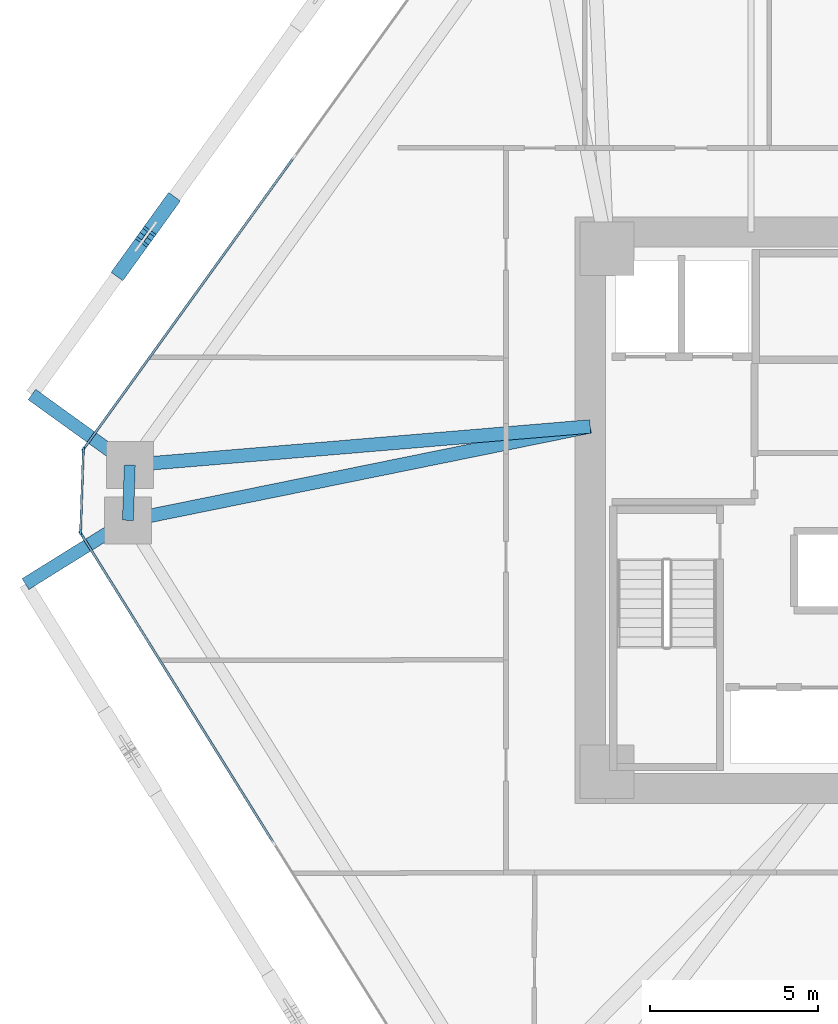
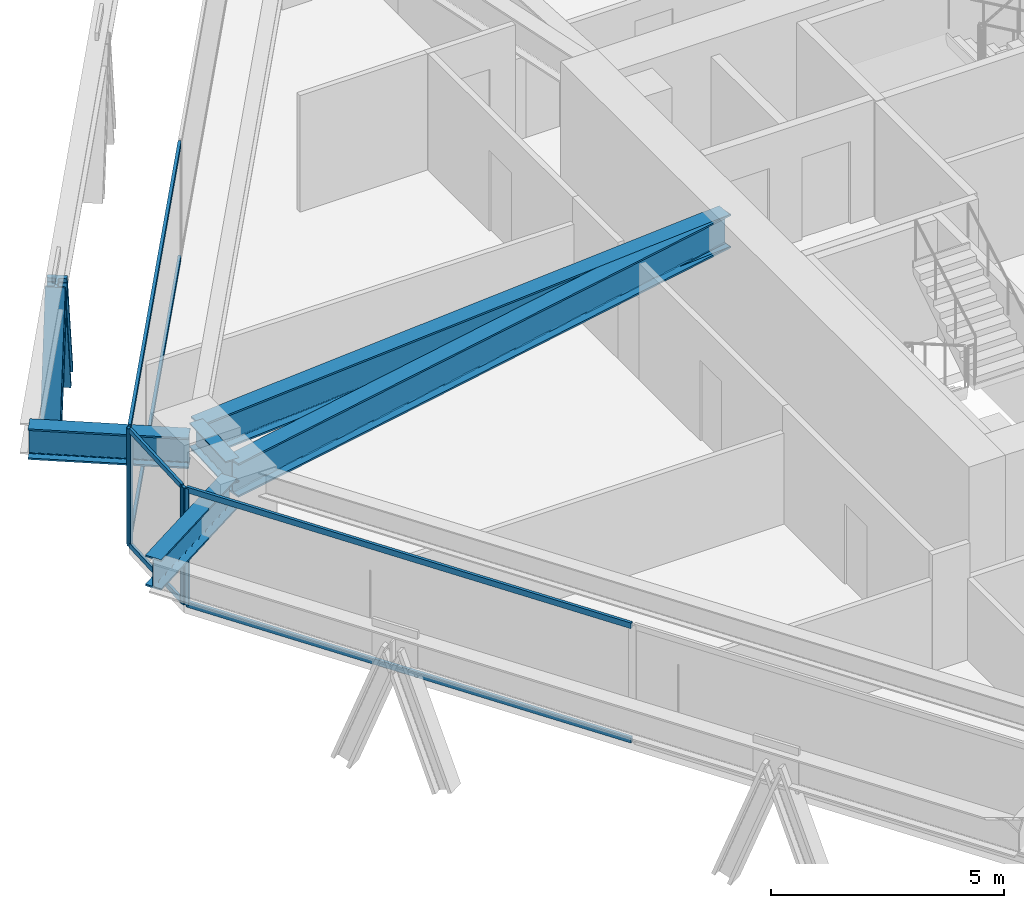
# One storey, part 4 of 17: 12 members, 5 beams, 3 elements without a shape of their own.
"""IFC4 building model written with IfcOpenShell, lengths in metres."""

from ifc_helpers import new_model, si_unit, direction, frame, origin, origin_2d, place, context, subcontext, project, spatial, rectangle, i_section, extrude, source, transform, mapped, material, layer, layer_set, material_profile, profile_set, type_object, type_shapes, element, aggregate, save


model = new_model("IFC4")

# Units and contexts
model_context = context("Model", 3, precision=1e-05, world=origin(), true_north=direction((0.0, 1.0)))
body_context = subcontext(model_context, "Body", "Model", "MODEL_VIEW")
ifc_project = project(units=[si_unit("LENGTHUNIT", "METRE"), si_unit("AREAUNIT", "SQUARE_METRE"), si_unit("VOLUMEUNIT", "CUBIC_METRE"), si_unit("PLANEANGLEUNIT", "RADIAN"), si_unit("MASSUNIT", "GRAM", prefix="KILO")], contexts=[model_context])

# Site, building, storey
site_placement = place(None, origin())
site = spatial("IfcSite", under=ifc_project, at=site_placement, CompositionType="ELEMENT")
building_placement = place(site_placement, origin())
building = spatial("IfcBuilding", under=site, at=building_placement, Name="Durnholm Broadcast Tower", CompositionType="ELEMENT")
storey_placement = place(building_placement, frame((0.0, 0.0, 72.0)))
storey = spatial("IfcBuildingStorey", under=building, at=storey_placement, Name="L18", CompositionType="ELEMENT", Elevation=72.0)

# Beams
ifc_material_1 = material(Name="Steel ASTM A992 Grade 50", Category="steel")
ifc_material_profile_1 = material_profile(ifc_material_1, i_section(OverallWidth=0.3291015625, OverallDepth=0.635009765625, WebThickness=0.017822265625, FlangeThickness=0.031005859375, FilletRadius=0.02783203125, at=origin_2d()), Name="W24X162")
ifc_profile_set_1 = profile_set([ifc_material_profile_1], Name="Steel ASTM A992 Grade 50")
beam_type_1 = type_object("IfcBeamType", Name="STL-SP-W24X162", PredefinedType="SPANDREL", material=ifc_profile_set_1)
shared_shape_1 = source(origin(), body_context, "Body", "SweptSolid", [
    extrude(i_section(OverallWidth=0.3291015625, OverallDepth=0.635009765625, WebThickness=0.017822265625, FlangeThickness=0.031005859375, FilletRadius=0.02783203125, at=origin_2d()), origin(), (0.0, 0.0, 1.0), 1.648193359375),
])
type_shapes(beam_type_1, [shared_shape_1])
beam_1_placement = place(storey_placement, frame((-24.0908203125, -0.2998046875, 2.7275390625), z_axis=(0.033921477804, 0.999424501072, 0.0), x_axis=(-0.999424501072, 0.033921477804, 0.0)))
element("IfcBeam", 1, at=beam_1_placement, inside=storey, type_object=beam_type_1, Name="L18 perimeter spandrel girder 02", PredefinedType="SPANDREL", context=body_context, shape_type="MappedRepresentation", body=[
    mapped(shared_shape_1, transform((0.0, 0.0, 0.0), x_axis=(1.0, 0.0, 0.0), y_axis=(0.0, 1.0, 0.0), z_axis=(0.0, 0.0, 1.0), scale=1.0)),
])
ifc_material_profile_2 = material_profile(ifc_material_1, i_section(OverallWidth=0.404052734375, OverallDepth=0.885009765625, WebThickness=0.0244140625, FlangeThickness=0.0439453125, FilletRadius=0.03564453125, at=origin_2d()), Name="W33X291")
ifc_profile_set_2 = profile_set([ifc_material_profile_2], Name="Steel ASTM A992 Grade 50")
beam_type_2 = type_object("IfcBeamType", Name="STL-GR-W33X291", PredefinedType="USERDEFINED", material=ifc_profile_set_2)
shared_shape_2 = source(origin(), body_context, "Body", "SweptSolid", [
    extrude(i_section(OverallWidth=0.404052734375, OverallDepth=0.885009765625, WebThickness=0.0244140625, FlangeThickness=0.0439453125, FilletRadius=0.03564453125, at=origin_2d()), origin(), (0.0, 0.0, 1.0), 14.072021484375),
])
beam_2_placement = place(storey_placement, frame((-10.300048828125, 2.5, 2.6025390625), z_axis=(-0.980007356767, -0.198961254225, 0.0), x_axis=(0.198961254225, -0.980007356767, 0.0)))
element("IfcBeam", 2, at=beam_2_placement, inside=storey, type_object=beam_type_2, Name="L18 radial primary floor girder 02", ObjectType="GIRDER", PredefinedType="USERDEFINED", context=body_context, shape_type="MappedRepresentation", body=[
    mapped(shared_shape_2, transform((0.0, 0.0, 0.0), x_axis=(1.0, 0.0, 0.0), y_axis=(0.0, 1.0, 0.0), z_axis=(0.0, 0.0, 1.0), scale=1.0)),
])
shared_shape_3 = source(origin(), body_context, "Body", "SweptSolid", [
    extrude(i_section(OverallWidth=0.404052734375, OverallDepth=0.885009765625, WebThickness=0.0244140625, FlangeThickness=0.0439453125, FilletRadius=0.03564453125, at=origin_2d()), origin(), (0.0, 0.0, 1.0), 13.783203125),
])
type_shapes(beam_type_2, [shared_shape_2, shared_shape_3])
beam_3_placement = place(storey_placement, frame((-10.300048828125, 2.5, 2.6025390625), z_axis=(-0.996497460403, -0.083623031579, 0.0), x_axis=(0.083623031579, -0.996497460403, 0.0)))
element("IfcBeam", 3, at=beam_3_placement, inside=storey, type_object=beam_type_2, Name="L18 radial primary floor girder 03", ObjectType="GIRDER", PredefinedType="USERDEFINED", context=body_context, shape_type="MappedRepresentation", body=[
    mapped(shared_shape_3, transform((0.0, 0.0, 0.0), x_axis=(1.0, 0.0, 0.0), y_axis=(0.0, 1.0, 0.0), z_axis=(0.0, 0.0, 1.0), scale=1.0)),
])
ifc_material_profile_3 = material_profile(ifc_material_1, i_section(OverallWidth=0.385009765625, OverallDepth=0.802978515625, WebThickness=0.023681640625, FlangeThickness=0.0419921875, FilletRadius=0.032958984375, at=origin_2d()), Name="W30X261")
ifc_profile_set_3 = profile_set([ifc_material_profile_3], Name="Steel ASTM A992 Grade 50")
beam_type_3 = type_object("IfcBeamType", Name="BM-EXO-TIE", PredefinedType="USERDEFINED", material=ifc_profile_set_3)
shared_shape_4 = source(origin(), body_context, "Body", "SweptSolid", [
    extrude(i_section(OverallWidth=0.385009765625, OverallDepth=0.802978515625, WebThickness=0.023681640625, FlangeThickness=0.0419921875, FilletRadius=0.032958984375, at=origin_2d()), origin(), (0.0, 0.0, 1.0), 3.4560546875),
])
beam_4_placement = place(storey_placement, frame((-24.212890625, -0.375732421875, 2.30859375), z_axis=(-0.848874183218, -0.528594949906, 0.0), x_axis=(0.528594949906, -0.848874183218, 0.0)))
element("IfcBeam", 4, at=beam_4_placement, inside=storey, type_object=beam_type_3, Name="L18 exoskeleton stand-off tie bracket F6.1", ObjectType="GIRDER", PredefinedType="USERDEFINED", context=body_context, shape_type="MappedRepresentation", body=[
    mapped(shared_shape_4, transform((0.0, 0.0, 0.0), x_axis=(1.0, 0.0, 0.0), y_axis=(0.0, 1.0, 0.0), z_axis=(0.0, 0.0, 1.0), scale=1.0)),
])
shared_shape_5 = source(origin(), body_context, "Body", "SweptSolid", [
    extrude(i_section(OverallWidth=0.385009765625, OverallDepth=0.802978515625, WebThickness=0.023681640625, FlangeThickness=0.0419921875, FilletRadius=0.032958984375, at=origin_2d()), origin(), (0.0, 0.0, 1.0), 3.455810546875),
])
type_shapes(beam_type_3, [shared_shape_4, shared_shape_5])
beam_5_placement = place(storey_placement, frame((-24.15185546875, 1.431396484375, 2.30859375), z_axis=(-0.811133512552, 0.584861030344, 0.0), x_axis=(-0.584861030344, -0.811133512552, 0.0)))
element("IfcBeam", 5, at=beam_5_placement, inside=storey, type_object=beam_type_3, Name="L18 exoskeleton stand-off tie bracket F5.2", ObjectType="GIRDER", PredefinedType="USERDEFINED", context=body_context, shape_type="MappedRepresentation", body=[
    mapped(shared_shape_5, transform((0.0, 0.0, 0.0), x_axis=(1.0, 0.0, 0.0), y_axis=(0.0, 1.0, 0.0), z_axis=(0.0, 0.0, 1.0), scale=1.0)),
])

# Members
ifc_material_2 = material(Name="Steel ASTM A913 Grade 65", Category="steel")
ifc_material_profile_4 = material_profile(ifc_material_2, i_section(OverallWidth=0.43212890625, OverallDepth=0.497802734375, WebThickness=0.0556640625, FlangeThickness=0.0888671875, FilletRadius=0.030517578125, at=origin_2d()), Name="W14X500")
ifc_profile_set_4 = profile_set([ifc_material_profile_4], Name="Steel ASTM A913 Grade 65")
member_type_1 = type_object("IfcMemberType", Name="STL-DG-W14X500", PredefinedType="BRACE", material=ifc_profile_set_4)
shared_shape_6 = source(origin(), body_context, "Body", "SweptSolid", [
    extrude(i_section(OverallWidth=0.43212890625, OverallDepth=0.497802734375, WebThickness=0.0556640625, FlangeThickness=0.0888671875, FilletRadius=0.030517578125, at=origin_2d()), origin(), (0.0, 0.0, 1.0), 3.523193359375),
])
type_shapes(member_type_1, [shared_shape_6])
for number, where, z_axis, x_axis, name in (
    (6, (-22.837890625, 9.163330078125, -0.991455078125), (-0.204839138341, -0.284044529113, 0.93667477434), (0.81109123444, -0.58491966065, 0.0), "L18 stand-off diagrid brace F5.D2.1"),
    (7, (-24.281005859375, 7.161865234375, -0.991455078125), (0.20477274847, 0.284048560399, 0.936688068046), (-0.811185111535, 0.584789461963, 0.0), "L18 stand-off diagrid brace F5.D2.2"),
):
    element("IfcMember", number, at=place(storey_placement, frame(where, z_axis=z_axis, x_axis=x_axis)), inside=storey, type_object=member_type_1, Name=name, PredefinedType="BRACE", context=body_context, shape_type="MappedRepresentation", body=[
        mapped(shared_shape_6, transform((0.0, 0.0, 0.0), x_axis=(1.0, 0.0, 0.0), y_axis=(0.0, 1.0, 0.0), z_axis=(0.0, 0.0, 1.0), scale=1.0)),
    ])

# Curtain wall, members
ifc_material_3 = material(Name="Aluminium and Solar Control IGU", Category="aluminium")
ifc_layer_1 = layer(ifc_material_3, 0.1650390625)
ifc_layer_set_1 = layer_set([ifc_layer_1], Name="Aluminium and Solar Control IGU")
curtain_wall_type_1 = type_object("IfcCurtainWallType", Name="CW-SYS-5", PredefinedType="NOTDEFINED", material=ifc_layer_set_1)
curtain_wall_1_placement = place(storey_placement, origin())
curtain_wall_1 = element("IfcCurtainWall", 8, at=curtain_wall_1_placement, inside=storey, type_object=curtain_wall_type_1, Name="L18 curtain wall CW-CORNER CW-L18-CRN-01", PredefinedType="NOTDEFINED")
ifc_material_4 = material(Name="Aluminium 6063-T6", Category="aluminium")
ifc_material_profile_5 = material_profile(ifc_material_4, rectangle(XDim=0.06494140625, YDim=0.1650390625, at=origin_2d()), Name="CWM65X165")
ifc_profile_set_5 = profile_set([ifc_material_profile_5], Name="Aluminium 6063-T6")
member_type_2 = type_object("IfcMemberType", Name="CW-SYS-5-MUL", PredefinedType="MULLION", material=ifc_profile_set_5)
shared_shape_7 = source(origin(), body_context, "Body", "SweptSolid", [
    extrude(rectangle(XDim=0.06494140625, YDim=0.1650390625, at=origin_2d()), origin(), (0.0, 0.0, 1.0), 3.06005859375),
])
type_shapes(member_type_2, [shared_shape_7])
member_1_placement = place(storey_placement, frame((-25.50341796875, -0.6455078125, 0.0), z_axis=(0.0, 0.0, 1.0), x_axis=(-0.999427277772, 0.033839569233, 0.0)))
member_1 = element("IfcMember", 9, at=member_1_placement, type_object=member_type_2, Name="CW-CORNER mullion 1", PredefinedType="MULLION", context=body_context, shape_type="MappedRepresentation", body=[
    mapped(shared_shape_7, transform((0.0, 0.0, 0.0), x_axis=(1.0, 0.0, 0.0), y_axis=(0.0, 1.0, 0.0), z_axis=(0.0, 0.0, 1.0), scale=1.0)),
])
member_2_placement = place(storey_placement, frame((-25.4208984375, 1.7880859375, 0.0), z_axis=(0.0, 0.0, 1.0), x_axis=(-0.999427277772, 0.033839569233, 0.0)))
member_2 = element("IfcMember", 10, at=member_2_placement, type_object=member_type_2, Name="CW-CORNER mullion 2", PredefinedType="MULLION", context=body_context, shape_type="MappedRepresentation", body=[
    mapped(shared_shape_7, transform((0.0, 0.0, 0.0), x_axis=(1.0, 0.0, 0.0), y_axis=(0.0, 1.0, 0.0), z_axis=(0.0, 0.0, 1.0), scale=1.0)),
])
ifc_material_profile_6 = material_profile(ifc_material_4, rectangle(XDim=0.06494140625, YDim=0.1298828125, at=origin_2d()), Name="CWT65X130")
ifc_profile_set_6 = profile_set([ifc_material_profile_6], Name="Aluminium 6063-T6")
member_type_3 = type_object("IfcMemberType", Name="CW-SYS-5-TRN", PredefinedType="USERDEFINED", material=ifc_profile_set_6)
shared_shape_8 = source(origin(), body_context, "Body", "SweptSolid", [
    extrude(rectangle(XDim=0.06494140625, YDim=0.1298828125, at=origin_2d()), origin(), (0.0, 0.0, 1.0), 2.3701171875),
])
type_shapes(member_type_3, [shared_shape_8])
member_3_placement = place(storey_placement, frame((-25.502197265625, -0.613037109375, 0.032470703125), z_axis=(0.033788158898, 0.999429017148, 0.0), x_axis=(-0.999429017148, 0.033788158898, 0.0)))
member_3 = element("IfcMember", 11, at=member_3_placement, type_object=member_type_3, Name="CW-CORNER transom 1.1", ObjectType="TRANSOM", PredefinedType="USERDEFINED", context=body_context, shape_type="MappedRepresentation", body=[
    mapped(shared_shape_8, transform((0.0, 0.0, 0.0), x_axis=(1.0, 0.0, 0.0), y_axis=(0.0, 1.0, 0.0), z_axis=(0.0, 0.0, 1.0), scale=1.0)),
])
member_4_placement = place(storey_placement, frame((-25.502197265625, -0.613037109375, 3.027587890625), z_axis=(0.033788158898, 0.999429017148, 0.0), x_axis=(-0.999429017148, 0.033788158898, 0.0)))
member_4 = element("IfcMember", 12, at=member_4_placement, type_object=member_type_3, Name="CW-CORNER transom 1.2", ObjectType="TRANSOM", PredefinedType="USERDEFINED", context=body_context, shape_type="MappedRepresentation", body=[
    mapped(shared_shape_8, transform((0.0, 0.0, 0.0), x_axis=(1.0, 0.0, 0.0), y_axis=(0.0, 1.0, 0.0), z_axis=(0.0, 0.0, 1.0), scale=1.0)),
])
aggregate(curtain_wall_1, [member_1, member_2, member_3, member_4])

# Curtain wall, member
ifc_layer_2 = layer(ifc_material_3, 0.18994140625)
ifc_layer_set_2 = layer_set([ifc_layer_2], Name="Aluminium and Solar Control IGU")
curtain_wall_type_2 = type_object("IfcCurtainWallType", Name="CW-SYS-3", PredefinedType="NOTDEFINED", material=ifc_layer_set_2)
curtain_wall_2_placement = place(storey_placement, origin())
curtain_wall_2 = element("IfcCurtainWall", 13, at=curtain_wall_2_placement, inside=storey, type_object=curtain_wall_type_2, Name="L18 curtain wall CW-Z12-VIS CW-L18-F02", PredefinedType="NOTDEFINED")
ifc_material_profile_7 = material_profile(ifc_material_4, rectangle(XDim=0.070068359375, YDim=0.18994140625, at=origin_2d()), Name="CWM70X190")
ifc_profile_set_7 = profile_set([ifc_material_profile_7], Name="Aluminium 6063-T6")
member_type_4 = type_object("IfcMemberType", Name="CW-SYS-3-MUL", PredefinedType="MULLION", material=ifc_profile_set_7)
shared_shape_9 = source(origin(), body_context, "Body", "SweptSolid", [
    extrude(rectangle(XDim=0.070068359375, YDim=0.18994140625, at=origin_2d()), origin(), (0.0, 0.0, 1.0), 3.06005859375),
])
type_shapes(member_type_4, [shared_shape_9])
member_5_placement = place(storey_placement, frame((-25.3994140625, 1.848876953125, 0.0), z_axis=(0.0, 0.0, 1.0), x_axis=(-0.81116057493, 0.584823496176, 0.0)))
member_5 = element("IfcMember", 14, at=member_5_placement, type_object=member_type_4, Name="CW-Z12-VIS mullion 1", PredefinedType="MULLION", context=body_context, shape_type="MappedRepresentation", body=[
    mapped(shared_shape_9, transform((0.0, 0.0, 0.0), x_axis=(1.0, 0.0, 0.0), y_axis=(0.0, 1.0, 0.0), z_axis=(0.0, 0.0, 1.0), scale=1.0)),
])

curtain_wall_3_placement = place(storey_placement, origin())
curtain_wall_3 = element("IfcCurtainWall", 15, at=curtain_wall_3_placement, inside=storey, type_object=curtain_wall_type_2, Name="L18 curtain wall CW-Z12-VIS CW-L18-F12", PredefinedType="NOTDEFINED")
member_6_placement = place(storey_placement, frame((-25.48583984375, -0.707763671875, 0.0), z_axis=(0.0, 0.0, 1.0), x_axis=(-0.848875785503, -0.528592376777, 0.0)))
member_6 = element("IfcMember", 16, at=member_6_placement, type_object=member_type_4, Name="CW-Z12-VIS mullion 3", PredefinedType="MULLION", context=body_context, shape_type="MappedRepresentation", body=[
    mapped(shared_shape_9, transform((0.0, 0.0, 0.0), x_axis=(1.0, 0.0, 0.0), y_axis=(0.0, 1.0, 0.0), z_axis=(0.0, 0.0, 1.0), scale=1.0)),
])

# Member
ifc_material_profile_8 = material_profile(ifc_material_4, rectangle(XDim=0.070068359375, YDim=0.14990234375, at=origin_2d()), Name="CWT70X150")
ifc_profile_set_8 = profile_set([ifc_material_profile_8], Name="Aluminium 6063-T6")
member_type_5 = type_object("IfcMemberType", Name="CW-SYS-3-TRN", PredefinedType="USERDEFINED", material=ifc_profile_set_8)
shared_shape_10 = source(origin(), body_context, "Body", "SweptSolid", [
    extrude(rectangle(XDim=0.070068359375, YDim=0.14990234375, at=origin_2d()), origin(), (0.0, 0.0, 1.0), 10.6455078125),
])
member_7_placement = place(storey_placement, frame((-25.37890625, 1.877197265625, 0.034912109375), z_axis=(0.584812103659, 0.811168788486, 0.0), x_axis=(-0.811168788486, 0.584812103659, 0.0)))
member_7 = element("IfcMember", 17, at=member_7_placement, type_object=member_type_5, Name="CW-Z12-VIS transom 1.1", ObjectType="TRANSOM", PredefinedType="USERDEFINED", context=body_context, shape_type="MappedRepresentation", body=[
    mapped(shared_shape_10, transform((0.0, 0.0, 0.0), x_axis=(1.0, 0.0, 0.0), y_axis=(0.0, 1.0, 0.0), z_axis=(0.0, 0.0, 1.0), scale=1.0)),
])

member_8_placement = place(storey_placement, frame((-25.37890625, 1.877197265625, 3.02490234375), z_axis=(0.584812103659, 0.811168788486, 0.0), x_axis=(-0.811168788486, 0.584812103659, 0.0)))
member_8 = element("IfcMember", 18, at=member_8_placement, type_object=member_type_5, Name="CW-Z12-VIS transom 1.2", ObjectType="TRANSOM", PredefinedType="USERDEFINED", context=body_context, shape_type="MappedRepresentation", body=[
    mapped(shared_shape_10, transform((0.0, 0.0, 0.0), x_axis=(1.0, 0.0, 0.0), y_axis=(0.0, 1.0, 0.0), z_axis=(0.0, 0.0, 1.0), scale=1.0)),
])

aggregate(curtain_wall_2, [member_5, member_7, member_8])

shared_shape_11 = source(origin(), body_context, "Body", "SweptSolid", [
    extrude(rectangle(XDim=0.070068359375, YDim=0.14990234375, at=origin_2d()), origin(), (0.0, 0.0, 1.0), 10.796630859375),
])
type_shapes(member_type_5, [shared_shape_10, shared_shape_11])
member_9_placement = place(storey_placement, frame((-19.760498046875, -9.902587890625, 0.034912109375), z_axis=(-0.528575362968, 0.848886379714, 0.0), x_axis=(-0.848886379714, -0.528575362968, 0.0)))
member_9 = element("IfcMember", 19, at=member_9_placement, type_object=member_type_5, Name="CW-Z12-VIS transom 2.1", ObjectType="TRANSOM", PredefinedType="USERDEFINED", context=body_context, shape_type="MappedRepresentation", body=[
    mapped(shared_shape_11, transform((0.0, 0.0, 0.0), x_axis=(1.0, 0.0, 0.0), y_axis=(0.0, 1.0, 0.0), z_axis=(0.0, 0.0, 1.0), scale=1.0)),
])

member_10_placement = place(storey_placement, frame((-19.760498046875, -9.902587890625, 3.02490234375), z_axis=(-0.528575362968, 0.848886379714, 0.0), x_axis=(-0.848886379714, -0.528575362968, 0.0)))
member_10 = element("IfcMember", 20, at=member_10_placement, type_object=member_type_5, Name="CW-Z12-VIS transom 2.2", ObjectType="TRANSOM", PredefinedType="USERDEFINED", context=body_context, shape_type="MappedRepresentation", body=[
    mapped(shared_shape_11, transform((0.0, 0.0, 0.0), x_axis=(1.0, 0.0, 0.0), y_axis=(0.0, 1.0, 0.0), z_axis=(0.0, 0.0, 1.0), scale=1.0)),
])

aggregate(curtain_wall_3, [member_6, member_9, member_10])

save(model, "model.ifc")
